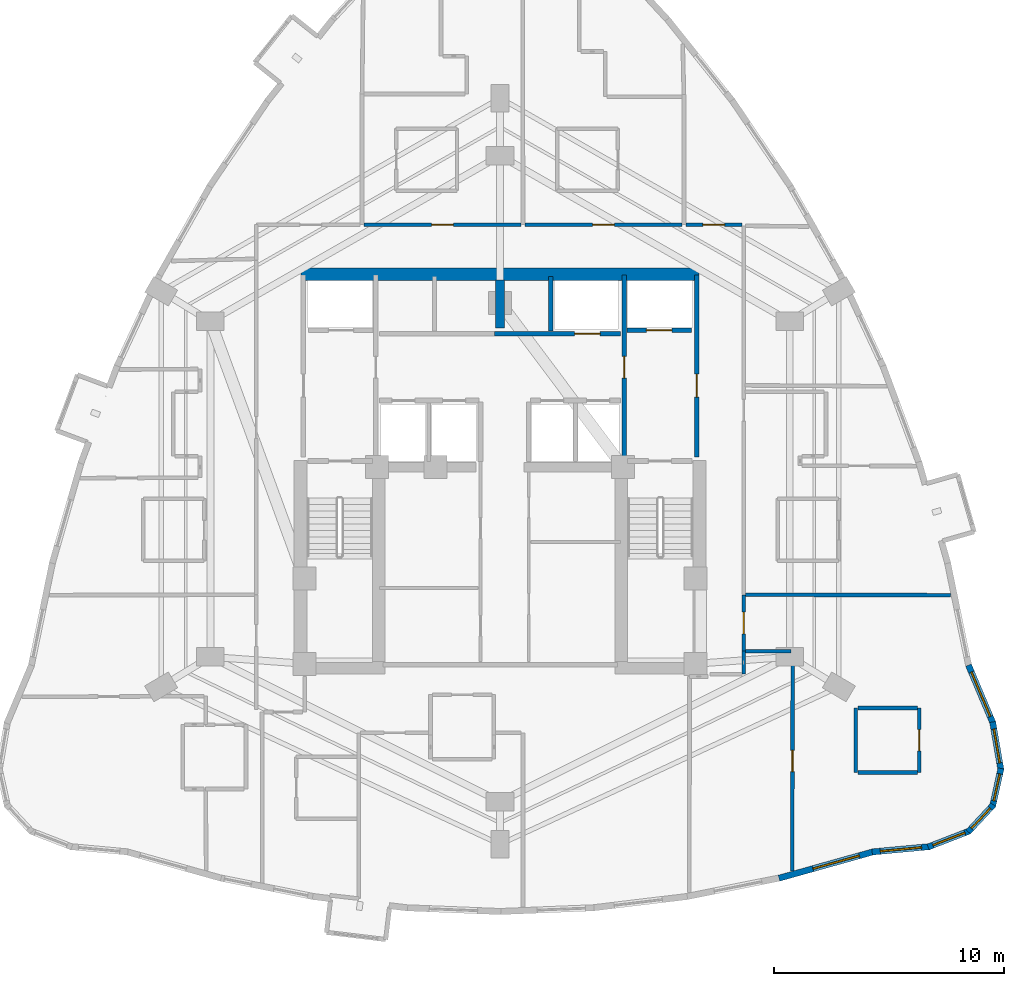
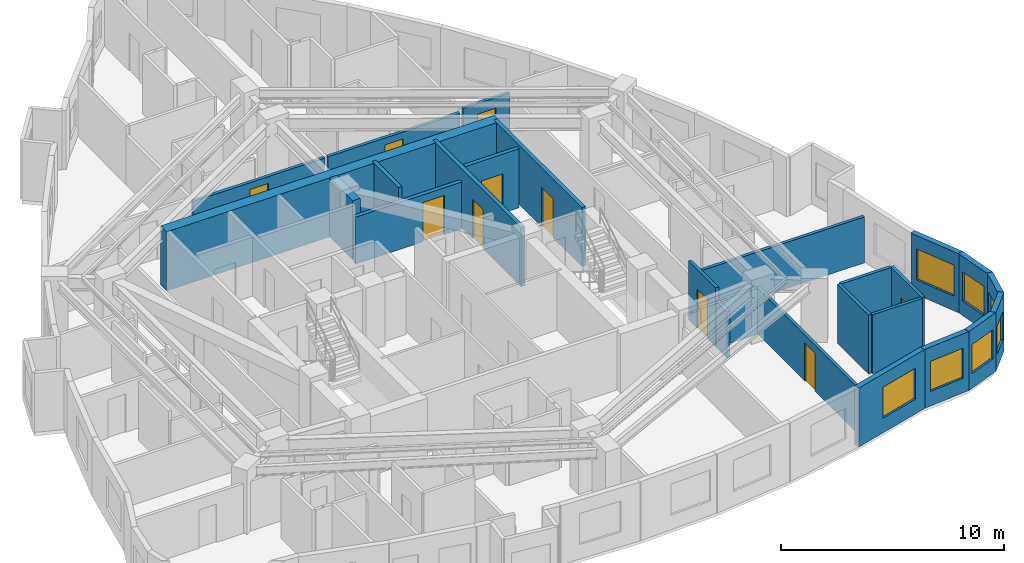
# One storey, part 11 of 14: 26 walls, 10 doors, 7 windows, 17 openings.
"""IFC4 building model written with IfcOpenShell, lengths in metres."""

from ifc_helpers import new_model, si_unit, direction, frame, frame_2d, origin, place, context, subcontext, project, spatial, rectangle, extrude, material, layer, layer_set, type_object, element, fill, save


model = new_model("IFC4")

# Units and contexts
model_context = context("Model", 3, precision=1e-05, world=origin(), true_north=direction((0.0, 1.0)))
body_context = subcontext(model_context, "Body", "Model", "MODEL_VIEW")
ifc_project = project(units=[si_unit("LENGTHUNIT", "METRE"), si_unit("AREAUNIT", "SQUARE_METRE"), si_unit("VOLUMEUNIT", "CUBIC_METRE"), si_unit("PLANEANGLEUNIT", "RADIAN"), si_unit("MASSUNIT", "GRAM", prefix="KILO")], contexts=[model_context])

# Site, building, storey
site_placement = place(None, origin())
site = spatial("IfcSite", under=ifc_project, at=site_placement, CompositionType="ELEMENT")
building_placement = place(site_placement, origin())
building = spatial("IfcBuilding", under=site, at=building_placement, Name="Miruveldt Soraemaru", CompositionType="ELEMENT")
storey_placement = place(building_placement, frame((0.0, 0.0, 128.39990234375)))
storey = spatial("IfcBuildingStorey", under=building, at=storey_placement, Name="L35", CompositionType="ELEMENT", Elevation=128.39990234375)

# Walls
ifc_material_1 = material(Name="Concrete C70/85 (70 MPa)", Category="concrete")
ifc_layer_1 = layer(ifc_material_1, 0.5, Name="Concrete C70/85 (70 MPa)", Category="concrete")
ifc_layer_set_1 = layer_set([ifc_layer_1], Name="Concrete C70/85 (70 MPa)")
wall_type_1 = type_object("IfcWallType", Name="WALL-BW-500", PredefinedType="SHEAR", material=ifc_layer_set_1)
wall_1_placement = place(storey_placement, frame((44.0, 50.10009765625, 0.0), z_axis=(0.0, 0.0, 1.0), x_axis=(0.0, 1.0, 0.0)))
element("IfcWall", 1, at=wall_1_placement, inside=storey, type_object=wall_type_1, Name="L35 Core Buttress Shear Wall BN", PredefinedType="SHEAR", context=body_context, shape_type="SweptSolid", body=[
    extrude(rectangle(XDim=2.099853515625, YDim=0.39990234375, at=frame_2d((1.0498046875, 0.0))), origin(), (0.0, 0.0, 1.0), 3.235107421875),
])
ifc_layer_2 = layer(ifc_material_1, 0.550048828125, Name="Concrete C70/85 (70 MPa)", Category="concrete")
ifc_layer_set_2 = layer_set([ifc_layer_2], Name="Concrete C70/85 (70 MPa)")
wall_type_2 = type_object("IfcWallType", Name="WALL-CW-550", PredefinedType="SHEAR", material=ifc_layer_set_2)
wall_2_placement = place(storey_placement, frame((35.35009765625, 52.449951171875, 0.0), z_axis=(0.0, 0.0, 1.0), x_axis=(1.0, 0.0, 0.0)))
element("IfcWall", 2, at=wall_2_placement, inside=storey, type_object=wall_type_2, Name="L35 Central Core Shear Wall N", PredefinedType="SHEAR", context=body_context, shape_type="SweptSolid", body=[
    extrude(rectangle(XDim=17.2998046875, YDim=0.550048828125, at=frame_2d((8.64990234375, 0.0))), origin(), (0.0, 0.0, 1.0), 3.235107421875),
])

# Wall, opening, window
ifc_material_2 = material(Name="Precast concrete C45/55 (45 MPa)", Category="concrete")
ifc_layer_3 = layer(ifc_material_2, 0.27001953125, Name="Precast concrete C45/55 (45 MPa)", Category="concrete")
ifc_layer_set_3 = layer_set([ifc_layer_3], Name="Precast concrete C45/55 (45 MPa)")
wall_type_3 = type_object("IfcWallType", Name="WALL-EXT-PC270", PredefinedType="SOLIDWALL", material=ifc_layer_set_3)
wall_3_placement = place(storey_placement, frame((56.132080078125, 26.17236328125, 0.0), z_axis=(0.0, 0.0, 1.0), x_axis=(0.962965204251, 0.269625694996, 0.0)))
wall_3 = element("IfcWall", 3, at=wall_3_placement, inside=storey, type_object=wall_type_3, Name="L35 Precast Concrete Facade Wall 28", PredefinedType="SOLIDWALL", context=body_context, shape_type="SweptSolid", body=[
    extrude(rectangle(XDim=4.281005859375, YDim=0.27001953125, at=frame_2d((2.140625, 0.0))), origin(), (0.0, 0.0, 1.0), 3.235107421875),
])
opening_1_placement = place(wall_3_placement, frame((1.531982421875, 0.0, 0.800048828125)))
opening_1 = element("IfcOpeningElement", 4, at=opening_1_placement, cuts=wall_3, Name="Opening WN-1", PredefinedType="OPENING", context=body_context, shape_type="SweptSolid", body=[
    extrude(rectangle(XDim=2.10009765625, YDim=1.699951171875, at=frame_2d((1.050048828125, 0.85009765625))), frame((0.0, 0.14501953125, 0.0), z_axis=(0.0, -1.0, 0.0), x_axis=(1.0, 0.0, 0.0)), (0.0, 0.0, 1.0), 0.2900390625),
])
ifc_material_3 = material(Name="Triple low-e insulated glazing", Category="glass")
window_type_1 = type_object("IfcWindowType", Name="WIN-PUNCH-2100x1700", PartitioningType="SINGLE_PANEL", PredefinedType="WINDOW", material=ifc_material_3)
window_1_placement = place(opening_1_placement, origin())
window_1 = element("IfcWindow", 5, at=window_1_placement, inside=storey, type_object=window_type_1, Name="L35 Punched Triple-Glazed Window 28.1", OverallHeight=1.699951171875, OverallWidth=2.10009765625, PartitioningType="SINGLE_PANEL", PredefinedType="WINDOW", context=body_context, shape_type="SweptSolid", body=[
    extrude(rectangle(XDim=2.10009765625, YDim=1.699951171875, at=frame_2d((1.050048828125, 0.85009765625))), frame((0.0, 0.030029296875, 0.0), z_axis=(0.0, -1.0, 0.0), x_axis=(1.0, 0.0, 0.0)), (0.0, 0.0, 1.0), 0.06005859375),
])
fill(opening_1, window_1)

wall_4_placement = place(storey_placement, frame((60.18603515625, 27.31396484375, 0.0), z_axis=(0.0, 0.0, 1.0), x_axis=(0.995759974065, 0.091989532284, 0.0)))
wall_4 = element("IfcWall", 6, at=wall_4_placement, inside=storey, type_object=wall_type_3, Name="L35 Precast Concrete Facade Wall 29", PredefinedType="SOLIDWALL", context=body_context, shape_type="SweptSolid", body=[
    extrude(rectangle(XDim=2.513427734375, YDim=0.27001953125, at=frame_2d((1.2568359375, 0.0))), origin(), (0.0, 0.0, 1.0), 3.235107421875),
])
opening_2_placement = place(wall_4_placement, frame((0.35693359375, 0.0, 0.800048828125)))
opening_2 = element("IfcOpeningElement", 7, at=opening_2_placement, cuts=wall_4, Name="Opening WN-2", PredefinedType="OPENING", context=body_context, shape_type="SweptSolid", body=[
    extrude(rectangle(XDim=1.800048828125, YDim=1.64990234375, at=frame_2d((0.89990234375, 0.824951171875))), frame((0.0, 0.14501953125, 0.0), z_axis=(0.0, -1.0, 0.0), x_axis=(1.0, 0.0, 0.0)), (0.0, 0.0, 1.0), 0.2900390625),
])
window_type_2 = type_object("IfcWindowType", Name="WIN-PUNCH-1800x1650", PartitioningType="SINGLE_PANEL", PredefinedType="WINDOW", material=ifc_material_3)
window_2_placement = place(opening_2_placement, origin())
window_2 = element("IfcWindow", 8, at=window_2_placement, inside=storey, type_object=window_type_2, Name="L35 Punched Triple-Glazed Window 29.1", OverallHeight=1.64990234375, OverallWidth=1.800048828125, PartitioningType="SINGLE_PANEL", PredefinedType="WINDOW", context=body_context, shape_type="SweptSolid", body=[
    extrude(rectangle(XDim=1.800048828125, YDim=1.64990234375, at=frame_2d((0.89990234375, 0.824951171875))), frame((0.0, 0.030029296875, 0.0), z_axis=(0.0, -1.0, 0.0), x_axis=(1.0, 0.0, 0.0)), (0.0, 0.0, 1.0), 0.06005859375),
])
fill(opening_2, window_2)

wall_5_placement = place(storey_placement, frame((62.621337890625, 27.529296875, 0.0), z_axis=(0.0, 0.0, 1.0), x_axis=(0.932300505595, 0.361684624039, 0.0)))
wall_5 = element("IfcWall", 9, at=wall_5_placement, inside=storey, type_object=wall_type_3, Name="L35 Precast Concrete Facade Wall 30", PredefinedType="SOLIDWALL", context=body_context, shape_type="SweptSolid", body=[
    extrude(rectangle(XDim=1.933837890625, YDim=0.27001953125, at=frame_2d((0.966796875, 0.0))), origin(), (0.0, 0.0, 1.0), 3.235107421875),
])
opening_3_placement = place(wall_5_placement, frame((0.217041015625, 0.0, 0.800048828125)))
opening_3 = element("IfcOpeningElement", 10, at=opening_3_placement, cuts=wall_5, Name="Opening WN-3", PredefinedType="OPENING", context=body_context, shape_type="SweptSolid", body=[
    extrude(rectangle(XDim=1.5, YDim=1.60009765625, at=frame_2d((0.75, 0.800048828125))), frame((0.0, 0.14501953125, 0.0), z_axis=(0.0, -1.0, 0.0), x_axis=(1.0, 0.0, 0.0)), (0.0, 0.0, 1.0), 0.2900390625),
])
window_type_3 = type_object("IfcWindowType", Name="WIN-PUNCH-1500x1600", PartitioningType="SINGLE_PANEL", PredefinedType="WINDOW", material=ifc_material_3)
window_3_placement = place(opening_3_placement, origin())
window_3 = element("IfcWindow", 11, at=window_3_placement, inside=storey, type_object=window_type_3, Name="L35 Punched Triple-Glazed Window 30.1", OverallHeight=1.60009765625, OverallWidth=1.5, PartitioningType="SINGLE_PANEL", PredefinedType="WINDOW", context=body_context, shape_type="SweptSolid", body=[
    extrude(rectangle(XDim=1.5, YDim=1.60009765625, at=frame_2d((0.75, 0.800048828125))), frame((0.0, 0.030029296875, 0.0), z_axis=(0.0, -1.0, 0.0), x_axis=(1.0, 0.0, 0.0)), (0.0, 0.0, 1.0), 0.06005859375),
])
fill(opening_3, window_3)

wall_6_placement = place(storey_placement, frame((64.367919921875, 28.1904296875, 0.0), z_axis=(0.0, 0.0, 1.0), x_axis=(0.680188175281, 0.733037547611, 0.0)))
wall_6 = element("IfcWall", 12, at=wall_6_placement, inside=storey, type_object=wall_type_3, Name="L35 Precast Concrete Facade Wall 31", PredefinedType="SOLIDWALL", context=body_context, shape_type="SweptSolid", body=[
    extrude(rectangle(XDim=1.60302734375, YDim=0.27001953125, at=frame_2d((0.801513671875, 0.0))), origin(), (0.0, 0.0, 1.0), 3.235107421875),
])
opening_4_placement = place(wall_6_placement, frame((0.201904296875, 0.0, 0.780029296875)))
opening_4 = element("IfcOpeningElement", 13, at=opening_4_placement, cuts=wall_6, Name="Opening WN-4", PredefinedType="OPENING", context=body_context, shape_type="SweptSolid", body=[
    extrude(rectangle(XDim=1.199951171875, YDim=1.550048828125, at=frame_2d((0.60009765625, 0.77490234375))), frame((0.0, 0.14501953125, 0.0), z_axis=(0.0, -1.0, 0.0), x_axis=(1.0, 0.0, 0.0)), (0.0, 0.0, 1.0), 0.2900390625),
])
window_type_4 = type_object("IfcWindowType", Name="WIN-PUNCH-1200x1550", PartitioningType="SINGLE_PANEL", PredefinedType="WINDOW", material=ifc_material_3)
window_4_placement = place(opening_4_placement, origin())
window_4 = element("IfcWindow", 14, at=window_4_placement, inside=storey, type_object=window_type_4, Name="L35 Punched Triple-Glazed Window 31.1", OverallHeight=1.550048828125, OverallWidth=1.199951171875, PartitioningType="SINGLE_PANEL", PredefinedType="WINDOW", context=body_context, shape_type="SweptSolid", body=[
    extrude(rectangle(XDim=1.199951171875, YDim=1.550048828125, at=frame_2d((0.60009765625, 0.77490234375))), frame((0.0, 0.030029296875, 0.0), z_axis=(0.0, -1.0, 0.0), x_axis=(1.0, 0.0, 0.0)), (0.0, 0.0, 1.0), 0.06005859375),
])
fill(opening_4, window_4)

wall_7_placement = place(storey_placement, frame((65.427001953125, 29.3056640625, 0.0), z_axis=(0.0, 0.0, 1.0), x_axis=(0.215515556799, 0.976500406952, 0.0)))
wall_7 = element("IfcWall", 15, at=wall_7_placement, inside=storey, type_object=wall_type_3, Name="L35 Precast Concrete Facade Wall 32", PredefinedType="SOLIDWALL", context=body_context, shape_type="SweptSolid", body=[
    extrude(rectangle(XDim=1.68115234375, YDim=0.27001953125, at=frame_2d((0.840576171875, 0.0))), origin(), (0.0, 0.0, 1.0), 3.235107421875),
])
opening_5_placement = place(wall_7_placement, frame((0.239990234375, 0.0, 0.780029296875)))
opening_5 = element("IfcOpeningElement", 16, at=opening_5_placement, cuts=wall_7, Name="Opening WN-4", PredefinedType="OPENING", context=body_context, shape_type="SweptSolid", body=[
    extrude(rectangle(XDim=1.199951171875, YDim=1.550048828125, at=frame_2d((0.60009765625, 0.77490234375))), frame((0.0, 0.14501953125, 0.0), z_axis=(0.0, -1.0, 0.0), x_axis=(1.0, 0.0, 0.0)), (0.0, 0.0, 1.0), 0.2900390625),
])
window_5_placement = place(opening_5_placement, origin())
window_5 = element("IfcWindow", 17, at=window_5_placement, inside=storey, type_object=window_type_4, Name="L35 Punched Triple-Glazed Window 32.1", OverallHeight=1.550048828125, OverallWidth=1.199951171875, PartitioningType="SINGLE_PANEL", PredefinedType="WINDOW", context=body_context, shape_type="SweptSolid", body=[
    extrude(rectangle(XDim=1.199951171875, YDim=1.550048828125, at=frame_2d((0.60009765625, 0.77490234375))), frame((0.0, 0.030029296875, 0.0), z_axis=(0.0, -1.0, 0.0), x_axis=(1.0, 0.0, 0.0)), (0.0, 0.0, 1.0), 0.06005859375),
])
fill(opening_5, window_5)

wall_8_placement = place(storey_placement, frame((65.787841796875, 30.87841796875, 0.0), z_axis=(0.0, 0.0, 1.0), x_axis=(-0.169321385443, 0.985560890271, 0.0)))
wall_8 = element("IfcWall", 18, at=wall_8_placement, inside=storey, type_object=wall_type_3, Name="L35 Precast Concrete Facade Wall 33", PredefinedType="SOLIDWALL", context=body_context, shape_type="SweptSolid", body=[
    extrude(rectangle(XDim=2.12255859375, YDim=0.27001953125, at=frame_2d((1.061279296875, 0.0))), origin(), (0.0, 0.0, 1.0), 3.235107421875),
])
opening_6_placement = place(wall_8_placement, frame((0.31103515625, 0.0, 0.800048828125)))
opening_6 = element("IfcOpeningElement", 19, at=opening_6_placement, cuts=wall_8, Name="Opening WN-3", PredefinedType="OPENING", context=body_context, shape_type="SweptSolid", body=[
    extrude(rectangle(XDim=1.5, YDim=1.60009765625, at=frame_2d((0.75, 0.800048828125))), frame((0.0, 0.14501953125, 0.0), z_axis=(0.0, -1.0, 0.0), x_axis=(1.0, 0.0, 0.0)), (0.0, 0.0, 1.0), 0.2900390625),
])
window_6_placement = place(opening_6_placement, origin())
window_6 = element("IfcWindow", 20, at=window_6_placement, inside=storey, type_object=window_type_3, Name="L35 Punched Triple-Glazed Window 33.1", OverallHeight=1.60009765625, OverallWidth=1.5, PartitioningType="SINGLE_PANEL", PredefinedType="WINDOW", context=body_context, shape_type="SweptSolid", body=[
    extrude(rectangle(XDim=1.5, YDim=1.60009765625, at=frame_2d((0.75, 0.800048828125))), frame((0.0, 0.030029296875, 0.0), z_axis=(0.0, -1.0, 0.0), x_axis=(1.0, 0.0, 0.0)), (0.0, 0.0, 1.0), 0.06005859375),
])
fill(opening_6, window_6)

wall_9_placement = place(storey_placement, frame((65.447998046875, 32.903564453125, 0.0), z_axis=(0.0, 0.0, 1.0), x_axis=(-0.388604046784, 0.921404848491, 0.0)))
wall_9 = element("IfcWall", 21, at=wall_9_placement, inside=storey, type_object=wall_type_3, Name="L35 Precast Concrete Facade Wall 34", PredefinedType="SOLIDWALL", context=body_context, shape_type="SweptSolid", body=[
    extrude(rectangle(XDim=2.7529296875, YDim=0.27001953125, at=frame_2d((1.37646484375, 0.0))), origin(), (0.0, 0.0, 1.0), 3.235107421875),
])
opening_7_placement = place(wall_9_placement, frame((0.326904296875, 0.0, 0.800048828125)))
opening_7 = element("IfcOpeningElement", 22, at=opening_7_placement, cuts=wall_9, Name="Opening WN-1", PredefinedType="OPENING", context=body_context, shape_type="SweptSolid", body=[
    extrude(rectangle(XDim=2.10009765625, YDim=1.699951171875, at=frame_2d((1.050048828125, 0.85009765625))), frame((0.0, 0.14501953125, 0.0), z_axis=(0.0, -1.0, 0.0), x_axis=(1.0, 0.0, 0.0)), (0.0, 0.0, 1.0), 0.2900390625),
])
window_7_placement = place(opening_7_placement, origin())
window_7 = element("IfcWindow", 23, at=window_7_placement, inside=storey, type_object=window_type_1, Name="L35 Punched Triple-Glazed Window 34.1", OverallHeight=1.699951171875, OverallWidth=2.10009765625, PartitioningType="SINGLE_PANEL", PredefinedType="WINDOW", context=body_context, shape_type="SweptSolid", body=[
    extrude(rectangle(XDim=2.10009765625, YDim=1.699951171875, at=frame_2d((1.050048828125, 0.85009765625))), frame((0.0, 0.030029296875, 0.0), z_axis=(0.0, -1.0, 0.0), x_axis=(1.0, 0.0, 0.0)), (0.0, 0.0, 1.0), 0.06005859375),
])
fill(opening_7, window_7)

# Wall, opening, door
ifc_material_4 = material(Name="Concrete C40/50 (40 MPa)", Category="concrete")
ifc_layer_4 = layer(ifc_material_4, 0.159912109375, Name="Concrete C40/50 (40 MPa)", Category="concrete")
ifc_layer_set_4 = layer_set([ifc_layer_4], Name="Concrete C40/50 (40 MPa)")
wall_type_4 = type_object("IfcWallType", Name="WALL-INT-RC160", PredefinedType="SOLIDWALL", material=ifc_layer_set_4)
wall_10_placement = place(storey_placement, frame((56.72998046875, 36.050048828125, 0.0), z_axis=(0.0, 0.0, 1.0), x_axis=(-0.001991926177, -0.999998016113, 0.0)))
wall_10 = element("IfcWall", 24, at=wall_10_placement, inside=storey, type_object=wall_type_4, Name="L35 Partition Wall 86", PredefinedType="SOLIDWALL", context=body_context, shape_type="SweptSolid", body=[
    extrude(rectangle(XDim=9.56005859375, YDim=0.159912109375, at=frame_2d((4.780029296875, 0.0))), origin(), (0.0, 0.0, 1.0), 2.523193359375),
])
opening_8_placement = place(wall_10_placement, frame((4.320068359375, 0.0, 0.0)))
opening_8 = element("IfcOpeningElement", 25, at=opening_8_placement, cuts=wall_10, Name="Opening D3A", PredefinedType="OPENING", context=body_context, shape_type="SweptSolid", body=[
    extrude(rectangle(XDim=0.919921875, YDim=2.10009765625, at=frame_2d((0.4599609375, 1.050048828125))), frame((0.0, 0.08984375, 0.0), z_axis=(0.0, -1.0, 0.0), x_axis=(1.0, 0.0, 0.0)), (0.0, 0.0, 1.0), 0.179931640625),
])
ifc_material_5 = material(Name="Anodised aluminium EN AW-6063 T6", Category="aluminium")
door_type_1 = type_object("IfcDoorType", Name="DOOR-INT-920", OperationType="NOTDEFINED", PredefinedType="DOOR", material=ifc_material_5)
door_1_placement = place(opening_8_placement, origin())
door_1 = element("IfcDoor", 26, at=door_1_placement, inside=storey, type_object=door_type_1, Name="L35 Unit 3509 BD1 Door", OperationType="SINGLE_SWING_RIGHT", OverallHeight=2.10009765625, OverallWidth=0.919921875, PredefinedType="DOOR", context=body_context, shape_type="SweptSolid", body=[
    extrude(rectangle(XDim=0.919921875, YDim=2.10009765625, at=frame_2d((0.4599609375, 1.050048828125))), frame((0.0, 0.02490234375, 0.0), z_axis=(0.0, -1.0, 0.0), x_axis=(1.0, 0.0, 0.0)), (0.0, 0.0, 1.0), 0.050048828125),
])
fill(opening_8, door_1)

wall_11_placement = place(storey_placement, frame((44.9169921875, 54.60009765625, 0.0), z_axis=(0.0, 0.0, 1.0), x_axis=(-1.0, 0.0, 0.0)))
wall_11 = element("IfcWall", 27, at=wall_11_placement, inside=storey, type_object=wall_type_4, Name="L35 Partition Wall 3", PredefinedType="SOLIDWALL", context=body_context, shape_type="SweptSolid", body=[
    extrude(rectangle(XDim=6.833984375, YDim=0.159912109375, at=frame_2d((3.4169921875, 0.0))), origin(), (0.0, 0.0, 1.0), 2.523193359375),
])
opening_9_placement = place(wall_11_placement, frame((2.94189453125, 0.0, 0.0)))
opening_9 = element("IfcOpeningElement", 28, at=opening_9_placement, cuts=wall_11, Name="Opening FD2", PredefinedType="OPENING", context=body_context, shape_type="SweptSolid", body=[
    extrude(rectangle(XDim=0.949951171875, YDim=2.14990234375, at=frame_2d((0.47509765625, 1.074951171875))), frame((0.0, 0.08984375, 0.0), z_axis=(0.0, -1.0, 0.0), x_axis=(1.0, 0.0, 0.0)), (0.0, 0.0, 1.0), 0.179931640625),
])
door_type_2 = type_object("IfcDoorType", Name="DOOR-FD2-950", OperationType="NOTDEFINED", PredefinedType="DOOR", material=ifc_material_5)
door_2_placement = place(opening_9_placement, origin())
door_2 = element("IfcDoor", 29, at=door_2_placement, inside=storey, type_object=door_type_2, Name="L35 Unit 3502 Entrance Fire Door", OperationType="SINGLE_SWING_RIGHT", OverallHeight=2.14990234375, OverallWidth=0.949951171875, PredefinedType="DOOR", context=body_context, shape_type="SweptSolid", body=[
    extrude(rectangle(XDim=0.949951171875, YDim=2.14990234375, at=frame_2d((0.47509765625, 1.074951171875))), frame((0.0, 0.02490234375, 0.0), z_axis=(0.0, -1.0, 0.0), x_axis=(1.0, 0.0, 0.0)), (0.0, 0.0, 1.0), 0.050048828125),
])
fill(opening_9, door_2)

wall_12_placement = place(storey_placement, frame((51.9169921875, 54.60009765625, 0.0), z_axis=(0.0, 0.0, 1.0), x_axis=(-1.0, 0.0, 0.0)))
wall_12 = element("IfcWall", 30, at=wall_12_placement, inside=storey, type_object=wall_type_4, Name="L35 Partition Wall 4", PredefinedType="SOLIDWALL", context=body_context, shape_type="SweptSolid", body=[
    extrude(rectangle(XDim=6.833984375, YDim=0.159912109375, at=frame_2d((3.4169921875, 0.0))), origin(), (0.0, 0.0, 1.0), 2.523193359375),
])
opening_10_placement = place(wall_12_placement, frame((2.94189453125, 0.0, 0.0)))
opening_10 = element("IfcOpeningElement", 31, at=opening_10_placement, cuts=wall_12, Name="Opening FD2", PredefinedType="OPENING", context=body_context, shape_type="SweptSolid", body=[
    extrude(rectangle(XDim=0.949951171875, YDim=2.14990234375, at=frame_2d((0.47509765625, 1.074951171875))), frame((0.0, 0.08984375, 0.0), z_axis=(0.0, -1.0, 0.0), x_axis=(1.0, 0.0, 0.0)), (0.0, 0.0, 1.0), 0.179931640625),
])
door_3_placement = place(opening_10_placement, origin())
door_3 = element("IfcDoor", 32, at=door_3_placement, inside=storey, type_object=door_type_2, Name="L35 Unit 3503 Entrance Fire Door", OperationType="SINGLE_SWING_LEFT", OverallHeight=2.14990234375, OverallWidth=0.949951171875, PredefinedType="DOOR", context=body_context, shape_type="SweptSolid", body=[
    extrude(rectangle(XDim=0.949951171875, YDim=2.14990234375, at=frame_2d((0.47509765625, 1.074951171875))), frame((0.0, 0.02490234375, 0.0), z_axis=(0.0, -1.0, 0.0), x_axis=(1.0, 0.0, 0.0)), (0.0, 0.0, 1.0), 0.050048828125),
])
fill(opening_10, door_3)

wall_13_placement = place(storey_placement, frame((62.22998046875, 30.77392578125, 0.0), z_axis=(0.0, 0.0, 1.0), x_axis=(0.0, 1.0, 0.0)))
wall_13 = element("IfcWall", 33, at=wall_13_placement, inside=storey, type_object=wall_type_4, Name="L35 Partition Wall 81", PredefinedType="SOLIDWALL", context=body_context, shape_type="SweptSolid", body=[
    extrude(rectangle(XDim=2.800048828125, YDim=0.159912109375, at=frame_2d((1.39990234375, 0.0))), origin(), (0.0, 0.0, 1.0), 3.235107421875),
])
opening_11_placement = place(wall_13_placement, frame((0.93994140625, 0.0, 0.0)))
opening_11 = element("IfcOpeningElement", 34, at=opening_11_placement, cuts=wall_13, Name="Opening D3A", PredefinedType="OPENING", context=body_context, shape_type="SweptSolid", body=[
    extrude(rectangle(XDim=0.919921875, YDim=2.10009765625, at=frame_2d((0.4599609375, 1.050048828125))), frame((0.0, 0.08984375, 0.0), z_axis=(0.0, -1.0, 0.0), x_axis=(1.0, 0.0, 0.0)), (0.0, 0.0, 1.0), 0.179931640625),
])
door_4_placement = place(opening_11_placement, origin())
door_4 = element("IfcDoor", 35, at=door_4_placement, inside=storey, type_object=door_type_1, Name="L35 Unit 3509 KIT Door", OperationType="SINGLE_SWING_LEFT", OverallHeight=2.10009765625, OverallWidth=0.919921875, PredefinedType="DOOR", context=body_context, shape_type="SweptSolid", body=[
    extrude(rectangle(XDim=0.919921875, YDim=2.10009765625, at=frame_2d((0.4599609375, 1.050048828125))), frame((0.0, 0.02490234375, 0.0), z_axis=(0.0, -1.0, 0.0), x_axis=(1.0, 0.0, 0.0)), (0.0, 0.0, 1.0), 0.050048828125),
])
fill(opening_11, door_4)

wall_14_placement = place(storey_placement, frame((54.60009765625, 36.052978515625, 0.0), z_axis=(0.0, 0.0, 1.0), x_axis=(0.0, 1.0, 0.0)))
wall_14 = element("IfcWall", 36, at=wall_14_placement, inside=storey, type_object=wall_type_4, Name="L35 Partition Wall 11", PredefinedType="SOLIDWALL", context=body_context, shape_type="SweptSolid", body=[
    extrude(rectangle(XDim=2.444091796875, YDim=0.159912109375, at=frame_2d((1.22216796875, 0.0))), origin(), (0.0, 0.0, 1.0), 3.235107421875),
])
opening_12_placement = place(wall_14_placement, frame((0.7470703125, 0.0, 0.0)))
opening_12 = element("IfcOpeningElement", 37, at=opening_12_placement, cuts=wall_14, Name="Opening FD2", PredefinedType="OPENING", context=body_context, shape_type="SweptSolid", body=[
    extrude(rectangle(XDim=0.949951171875, YDim=2.14990234375, at=frame_2d((0.47509765625, 1.074951171875))), frame((0.0, 0.08984375, 0.0), z_axis=(0.0, -1.0, 0.0), x_axis=(1.0, 0.0, 0.0)), (0.0, 0.0, 1.0), 0.179931640625),
])
door_5_placement = place(opening_12_placement, origin())
door_5 = element("IfcDoor", 38, at=door_5_placement, inside=storey, type_object=door_type_2, Name="L35 Unit 3509 Entrance Fire Door", OperationType="SINGLE_SWING_RIGHT", OverallHeight=2.14990234375, OverallWidth=0.949951171875, PredefinedType="DOOR", context=body_context, shape_type="SweptSolid", body=[
    extrude(rectangle(XDim=0.949951171875, YDim=2.14990234375, at=frame_2d((0.47509765625, 1.074951171875))), frame((0.0, 0.02490234375, 0.0), z_axis=(0.0, -1.0, 0.0), x_axis=(1.0, 0.0, 0.0)), (0.0, 0.0, 1.0), 0.050048828125),
])
fill(opening_12, door_5)

wall_15_placement = place(storey_placement, frame((54.52001953125, 54.60009765625, 0.0), z_axis=(0.0, 0.0, 1.0), x_axis=(-1.0, 0.0, 0.0)))
wall_15 = element("IfcWall", 39, at=wall_15_placement, inside=storey, type_object=wall_type_4, Name="L35 Partition Wall 5", PredefinedType="SOLIDWALL", context=body_context, shape_type="SweptSolid", body=[
    extrude(rectangle(XDim=2.43994140625, YDim=0.159912109375, at=frame_2d((1.219970703125, 0.0))), origin(), (0.0, 0.0, 1.0), 2.72314453125),
])
opening_13_placement = place(wall_15_placement, frame((0.7451171875, 0.0, 0.0)))
opening_13 = element("IfcOpeningElement", 40, at=opening_13_placement, cuts=wall_15, Name="Opening FD2", PredefinedType="OPENING", context=body_context, shape_type="SweptSolid", body=[
    extrude(rectangle(XDim=0.949951171875, YDim=2.14990234375, at=frame_2d((0.47509765625, 1.074951171875))), frame((0.0, 0.08984375, 0.0), z_axis=(0.0, -1.0, 0.0), x_axis=(1.0, 0.0, 0.0)), (0.0, 0.0, 1.0), 0.179931640625),
])
door_6_placement = place(opening_13_placement, origin())
door_6 = element("IfcDoor", 41, at=door_6_placement, inside=storey, type_object=door_type_2, Name="L35 Unit CL04 Entrance Fire Door", OperationType="SINGLE_SWING_RIGHT", OverallHeight=2.14990234375, OverallWidth=0.949951171875, PredefinedType="DOOR", context=body_context, shape_type="SweptSolid", body=[
    extrude(rectangle(XDim=0.949951171875, YDim=2.14990234375, at=frame_2d((0.47509765625, 1.074951171875))), frame((0.0, 0.02490234375, 0.0), z_axis=(0.0, -1.0, 0.0), x_axis=(1.0, 0.0, 0.0)), (0.0, 0.0, 1.0), 0.050048828125),
])
fill(opening_13, door_6)

# Walls
wall_16_placement = place(storey_placement, frame((54.68310546875, 38.5, 0.0), z_axis=(0.0, 0.0, 1.0), x_axis=(0.999998783571, -0.001559761675, 0.0)))
element("IfcWall", 42, at=wall_16_placement, inside=storey, type_object=wall_type_4, Name="L35 Partition Wall 59", PredefinedType="SOLIDWALL", context=body_context, shape_type="SweptSolid", body=[
    extrude(rectangle(XDim=8.921875, YDim=0.159912109375, at=frame_2d((4.4609375, 0.0))), origin(), (0.0, 0.0, 1.0), 2.523193359375),
])
wall_17_placement = place(storey_placement, frame((59.47998046875, 33.573974609375, 0.0), z_axis=(0.0, 0.0, 1.0), x_axis=(0.0, -1.0, 0.0)))
element("IfcWall", 43, at=wall_17_placement, inside=storey, type_object=wall_type_4, Name="L35 Partition Wall 83", PredefinedType="SOLIDWALL", context=body_context, shape_type="SweptSolid", body=[
    extrude(rectangle(XDim=2.800048828125, YDim=0.159912109375, at=frame_2d((1.39990234375, 0.0))), origin(), (0.0, 0.0, 1.0), 3.235107421875),
])
for number, where, z_axis, x_axis, name in (
    (44, (62.14990234375, 33.573974609375, 0.0), (0.0, 0.0, 1.0), (-1.0, 0.0, 0.0), "L35 Partition Wall 82"),
    (45, (59.56005859375, 30.77392578125, 0.0), (0.0, 0.0, 1.0), (1.0, 0.0, 0.0), "L35 Partition Wall 84"),
):
    element("IfcWall", number, at=place(storey_placement, frame(where, z_axis=z_axis, x_axis=x_axis)), inside=storey, type_object=wall_type_4, Name=name, PredefinedType="SOLIDWALL", context=body_context, shape_type="SweptSolid", body=[
        extrude(rectangle(XDim=2.58984375, YDim=0.159912109375, at=frame_2d((1.294921875, 0.0))), origin(), (0.0, 0.0, 1.0), 3.235107421875),
    ])
wall_18_placement = place(storey_placement, frame((54.679931640625, 36.050048828125, 0.0), z_axis=(0.0, 0.0, 1.0), x_axis=(1.0, 0.0, 0.0)))
element("IfcWall", 46, at=wall_18_placement, inside=storey, type_object=wall_type_4, Name="L35 Partition Wall 85", PredefinedType="SOLIDWALL", context=body_context, shape_type="SweptSolid", body=[
    extrude(rectangle(XDim=1.969970703125, YDim=0.159912109375, at=frame_2d((0.98486328125, 0.0))), origin(), (0.0, 0.0, 1.0), 2.523193359375),
])
wall_19_placement = place(storey_placement, frame((54.60009765625, 35.050048828125, 0.0), z_axis=(0.0, 0.0, 1.0), x_axis=(0.0, 1.0, 0.0)))
element("IfcWall", 47, at=wall_19_placement, inside=storey, type_object=wall_type_4, Name="L35 Partition Wall 13", PredefinedType="SOLIDWALL", context=body_context, shape_type="SweptSolid", body=[
    extrude(rectangle(XDim=1.0, YDim=0.159912109375, at=frame_2d((0.5, 0.0))), origin(), (0.0, 0.0, 1.0), 2.523193359375),
])

# Wall, opening, door
ifc_layer_5 = layer(ifc_material_4, 0.199951171875, Name="Concrete C40/50 (40 MPa)", Category="concrete")
ifc_layer_set_5 = layer_set([ifc_layer_5], Name="Concrete C40/50 (40 MPa)")
wall_type_5 = type_object("IfcWallType", Name="WALL-INT-RC200", PredefinedType="SOLIDWALL", material=ifc_layer_set_5)
wall_20_placement = place(storey_placement, frame((52.550048828125, 44.5, 0.0), z_axis=(0.0, 0.0, 1.0), x_axis=(0.0, 1.0, 0.0)))
wall_20 = element("IfcWall", 48, at=wall_20_placement, inside=storey, type_object=wall_type_5, Name="L35 Core Compartment Wall FFE-OUT", PredefinedType="SOLIDWALL", context=body_context, shape_type="SweptSolid", body=[
    extrude(rectangle(XDim=7.919921875, YDim=0.199951171875, at=frame_2d((3.9599609375, 0.0))), origin(), (0.0, 0.0, 1.0), 3.235107421875),
])
opening_14_placement = place(wall_20_placement, frame((2.60009765625, 0.0, 0.0)))
opening_14 = element("IfcOpeningElement", 49, at=opening_14_placement, cuts=wall_20, Name="Opening FD1", PredefinedType="OPENING", context=body_context, shape_type="SweptSolid", body=[
    extrude(rectangle(XDim=1.0, YDim=2.14990234375, at=frame_2d((0.5, 1.074951171875))), frame((0.0, 0.10986328125, 0.0), z_axis=(0.0, -1.0, 0.0), x_axis=(1.0, 0.0, 0.0)), (0.0, 0.0, 1.0), 0.219970703125),
])
door_type_3 = type_object("IfcDoorType", Name="DOOR-FD1-1000", OperationType="NOTDEFINED", PredefinedType="DOOR", material=ifc_material_5)
door_7_placement = place(opening_14_placement, frame((1.0, 0.0, 0.0), z_axis=(0.0, 0.0, 1.0), x_axis=(-1.0, 0.0, 0.0)))
door_7 = element("IfcDoor", 50, at=door_7_placement, inside=storey, type_object=door_type_3, Name="L35 East Firefighting Lobby Exit Door", OperationType="SINGLE_SWING_RIGHT", OverallHeight=2.14990234375, OverallWidth=1.0, PredefinedType="DOOR", context=body_context, shape_type="SweptSolid", body=[
    extrude(rectangle(XDim=1.0, YDim=2.14990234375, at=frame_2d((0.5, 1.074951171875))), frame((0.0, 0.02490234375, 0.0), z_axis=(0.0, -1.0, 0.0), x_axis=(1.0, 0.0, 0.0)), (0.0, 0.0, 1.0), 0.050048828125),
])
fill(opening_14, door_7)

wall_21_placement = place(storey_placement, frame((49.39990234375, 44.5, 0.0), z_axis=(0.0, 0.0, 1.0), x_axis=(0.0, 1.0, 0.0)))
wall_21 = element("IfcWall", 51, at=wall_21_placement, inside=storey, type_object=wall_type_5, Name="L35 Core Compartment Wall FFE-IN", PredefinedType="SOLIDWALL", context=body_context, shape_type="SweptSolid", body=[
    extrude(rectangle(XDim=7.919921875, YDim=0.199951171875, at=frame_2d((3.9599609375, 0.0))), origin(), (0.0, 0.0, 1.0), 3.235107421875),
])
opening_15_placement = place(wall_21_placement, frame((3.425048828125, 0.0, 0.0)))
opening_15 = element("IfcOpeningElement", 52, at=opening_15_placement, cuts=wall_21, Name="Opening FD2", PredefinedType="OPENING", context=body_context, shape_type="SweptSolid", body=[
    extrude(rectangle(XDim=0.949951171875, YDim=2.14990234375, at=frame_2d((0.47509765625, 1.074951171875))), frame((0.0, 0.10986328125, 0.0), z_axis=(0.0, -1.0, 0.0), x_axis=(1.0, 0.0, 0.0)), (0.0, 0.0, 1.0), 0.219970703125),
])
door_8_placement = place(opening_15_placement, origin())
door_8 = element("IfcDoor", 53, at=door_8_placement, inside=storey, type_object=door_type_2, Name="L35 Lift Lobby to East Fire Lobby Door", OperationType="SINGLE_SWING_LEFT", OverallHeight=2.14990234375, OverallWidth=0.949951171875, PredefinedType="DOOR", context=body_context, shape_type="SweptSolid", body=[
    extrude(rectangle(XDim=0.949951171875, YDim=2.14990234375, at=frame_2d((0.47509765625, 1.074951171875))), frame((0.0, 0.02490234375, 0.0), z_axis=(0.0, -1.0, 0.0), x_axis=(1.0, 0.0, 0.0)), (0.0, 0.0, 1.0), 0.050048828125),
])
fill(opening_15, door_8)

wall_22_placement = place(storey_placement, frame((43.75, 49.85009765625, 0.0), z_axis=(0.0, 0.0, 1.0), x_axis=(1.0, 0.0, 0.0)))
wall_22 = element("IfcWall", 54, at=wall_22_placement, inside=storey, type_object=wall_type_5, Name="L35 Core Compartment Wall ROWA-SE", PredefinedType="SOLIDWALL", context=body_context, shape_type="SweptSolid", body=[
    extrude(rectangle(XDim=5.5, YDim=0.199951171875, at=frame_2d((2.75, 0.0))), origin(), (0.0, 0.0, 1.0), 2.572998046875),
])
opening_16_placement = place(wall_22_placement, frame((3.5, 0.0, 0.0)))
opening_16 = element("IfcOpeningElement", 55, at=opening_16_placement, cuts=wall_22, Name="Opening LD2", PredefinedType="OPENING", context=body_context, shape_type="SweptSolid", body=[
    extrude(rectangle(XDim=1.10009765625, YDim=2.14990234375, at=frame_2d((0.550048828125, 1.074951171875))), frame((0.0, 0.10986328125, 0.0), z_axis=(0.0, -1.0, 0.0), x_axis=(1.0, 0.0, 0.0)), (0.0, 0.0, 1.0), 0.219970703125),
])
door_type_4 = type_object("IfcDoorType", Name="DOOR-LD2-1100", OperationType="SLIDING_TO_LEFT", PredefinedType="DOOR", material=ifc_material_5)
door_9_placement = place(opening_16_placement, origin())
door_9 = element("IfcDoor", 56, at=door_9_placement, inside=storey, type_object=door_type_4, Name="L35 SL-1 Landing Door", OperationType="SLIDING_TO_LEFT", OverallHeight=2.14990234375, OverallWidth=1.10009765625, PredefinedType="DOOR", context=body_context, shape_type="SweptSolid", body=[
    extrude(rectangle(XDim=1.10009765625, YDim=2.14990234375, at=frame_2d((0.550048828125, 1.074951171875))), frame((0.0, 0.02490234375, 0.0), z_axis=(0.0, -1.0, 0.0), x_axis=(1.0, 0.0, 0.0)), (0.0, 0.0, 1.0), 0.050048828125),
])
fill(opening_16, door_9)

wall_23_placement = place(storey_placement, frame((49.52001953125, 50.0, 0.0), z_axis=(0.0, 0.0, 1.0), x_axis=(1.0, 0.0, 0.0)))
wall_23 = element("IfcWall", 57, at=wall_23_placement, inside=storey, type_object=wall_type_5, Name="L35 Core Compartment Wall FFL2-S", PredefinedType="SOLIDWALL", context=body_context, shape_type="SweptSolid", body=[
    extrude(rectangle(XDim=2.800048828125, YDim=0.199951171875, at=frame_2d((1.39990234375, 0.0))), origin(), (0.0, 0.0, 1.0), 3.235107421875),
])
opening_17_placement = place(wall_23_placement, frame((0.85009765625, 0.0, 0.0)))
opening_17 = element("IfcOpeningElement", 58, at=opening_17_placement, cuts=wall_23, Name="Opening LD2", PredefinedType="OPENING", context=body_context, shape_type="SweptSolid", body=[
    extrude(rectangle(XDim=1.10009765625, YDim=2.14990234375, at=frame_2d((0.550048828125, 1.074951171875))), frame((0.0, 0.10986328125, 0.0), z_axis=(0.0, -1.0, 0.0), x_axis=(1.0, 0.0, 0.0)), (0.0, 0.0, 1.0), 0.219970703125),
])
door_10_placement = place(opening_17_placement, origin())
door_10 = element("IfcDoor", 59, at=door_10_placement, inside=storey, type_object=door_type_4, Name="L35 FFL-2 Landing Door", OperationType="SLIDING_TO_LEFT", OverallHeight=2.14990234375, OverallWidth=1.10009765625, PredefinedType="DOOR", context=body_context, shape_type="SweptSolid", body=[
    extrude(rectangle(XDim=1.10009765625, YDim=2.14990234375, at=frame_2d((0.550048828125, 1.074951171875))), frame((0.0, 0.02490234375, 0.0), z_axis=(0.0, -1.0, 0.0), x_axis=(1.0, 0.0, 0.0)), (0.0, 0.0, 1.0), 0.050048828125),
])
fill(opening_17, door_10)

# Wall
wall_24_placement = place(storey_placement, frame((46.199951171875, 49.97998046875, 0.0), z_axis=(0.0, 0.0, 1.0), x_axis=(0.0, 1.0, 0.0)))
element("IfcWall", 60, at=wall_24_placement, inside=storey, type_object=wall_type_5, Name="L35 Core Compartment Wall PLH-SL-DIV", PredefinedType="SOLIDWALL", context=body_context, shape_type="SweptSolid", body=[
    extrude(rectangle(XDim=2.3701171875, YDim=0.199951171875, at=frame_2d((1.18505859375, 0.0))), origin(), (0.0, 0.0, 1.0), 3.235107421875),
])

save(model, "model.ifc")
